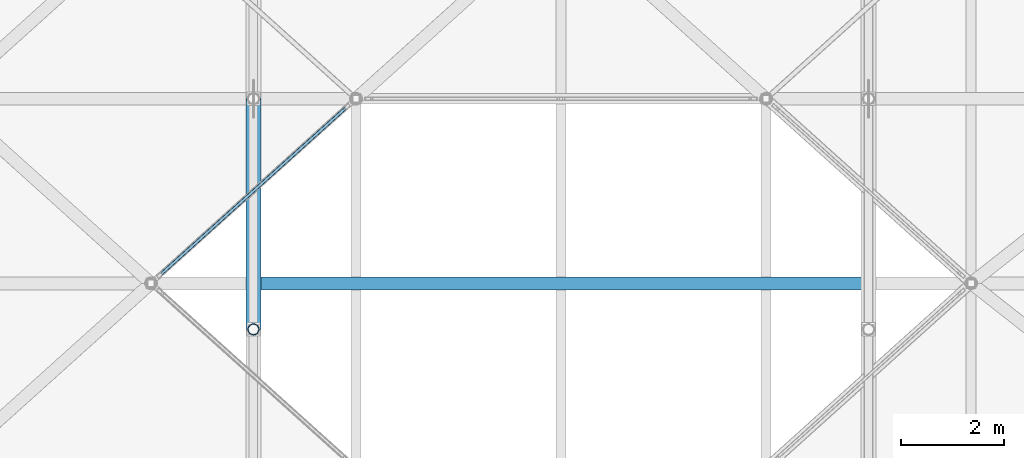
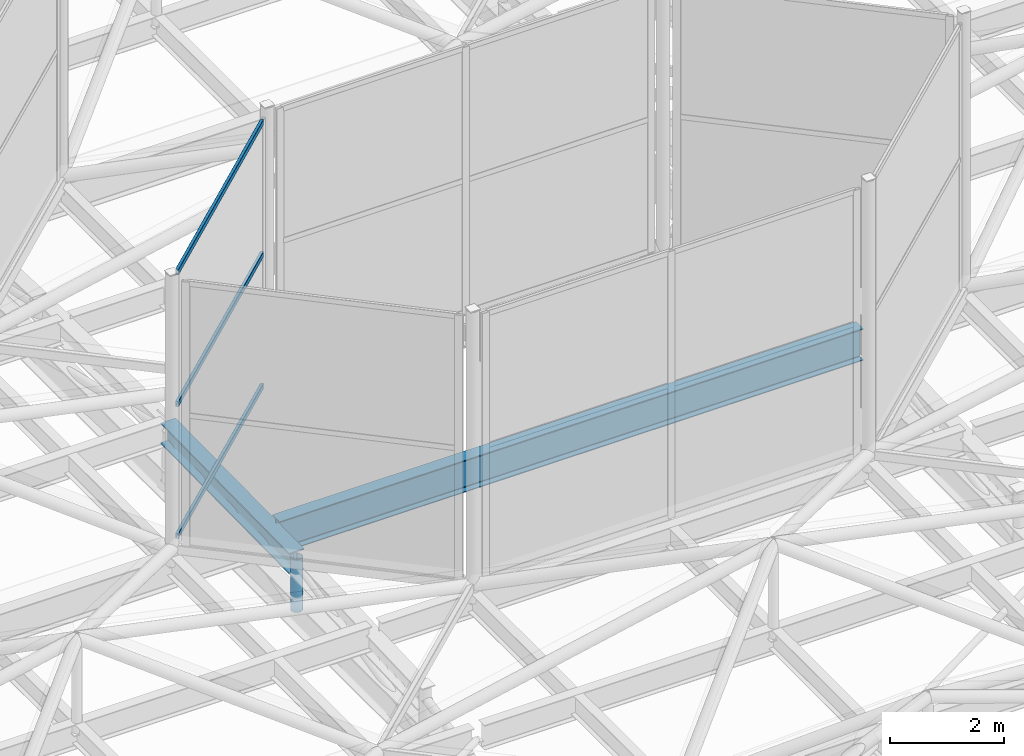
# One storey, part 116 of 239: 4 members, 2 beams, 1 element without a shape of its own.
"""IFC4 building model written with IfcOpenShell, lengths in metres."""

from ifc_helpers import new_model, si_unit, direction, frame, origin, origin_2d, place, context, subcontext, project, spatial, hollow_rectangle, hollow_circle, i_section, extrude, material, layer, layer_set, material_profile, profile_set, type_object, element, aggregate, save


model = new_model("IFC4")

# Units and contexts
model_context = context("Model", 3, precision=1e-05, world=origin(), true_north=direction((0.0, 1.0)))
body_context = subcontext(model_context, "Body", "Model", "MODEL_VIEW")
ifc_project = project(units=[si_unit("LENGTHUNIT", "METRE"), si_unit("AREAUNIT", "SQUARE_METRE"), si_unit("VOLUMEUNIT", "CUBIC_METRE"), si_unit("PLANEANGLEUNIT", "RADIAN"), si_unit("MASSUNIT", "GRAM", prefix="KILO")], contexts=[model_context])

# Site, building, storey
site_placement = place(None, origin())
site = spatial("IfcSite", under=ifc_project, at=site_placement, CompositionType="ELEMENT")
building_placement = place(site_placement, origin())
building = spatial("IfcBuilding", under=site, at=building_placement, Name="Dunvalen Ferry Terminal", CompositionType="ELEMENT")
storey_placement = place(building_placement, frame((0.0, 0.0, 9.840087890625)))
storey = spatial("IfcBuildingStorey", under=building, at=storey_placement, Name="L02", CompositionType="ELEMENT", Elevation=9.840087890625)

# Curtain wall, members
ifc_material_1 = material(Name="Anodised marine aluminium and solar-control glazing", Category="aluminium")
ifc_layer = layer(ifc_material_1, 0.179931640625, Name="Anodised marine aluminium and solar-control glazing")
ifc_layer_set = layer_set([ifc_layer], Name="Anodised marine aluminium and solar-control glazing")
curtain_wall_type = type_object("IfcCurtainWallType", Name="ENV-CW-SYS-06", PredefinedType="NOTDEFINED", material=ifc_layer_set)
curtain_wall_placement = place(storey_placement, origin())
curtain_wall = element("IfcCurtainWall", 1, at=curtain_wall_placement, inside=storey, type_object=curtain_wall_type, Name="L02 Curtain Wall CW-HEX-36-SK-6", PredefinedType="NOTDEFINED")
ifc_material_2 = material(Name="Anodised marine aluminium EN AW-6063 T6", Category="aluminium")
ifc_material_profile_1 = material_profile(ifc_material_2, hollow_rectangle(XDim=0.06005859375, YDim=0.114990234375, WallThickness=0.0029296875, InnerFilletRadius=0.0029296875, OuterFilletRadius=0.006103515625, at=origin_2d()), Name="Anodised marine aluminium EN AW-6063 T6")
ifc_profile_set_1 = profile_set([ifc_material_profile_1], Name="Anodised marine aluminium EN AW-6063 T6")
member_type_1 = type_object("IfcMemberType", Name="ENV-CW-TRN-3", PredefinedType="USERDEFINED", material=ifc_profile_set_1)
member_1_placement = place(storey_placement, frame((73.7919921875, 68.212646484375, 1.169921875), z_axis=(-0.743319323261, -0.668936756104, 0.0), x_axis=(0.668936756104, -0.743319323261, 0.0)))
member_1 = element("IfcMember", 2, at=member_1_placement, type_object=member_type_1, Name="CW-06 transom 1.1", ObjectType="TRANSOM", PredefinedType="USERDEFINED", context=body_context, shape_type="SweptSolid", body=[
    extrude(hollow_rectangle(XDim=0.06005859375, YDim=0.114990234375, WallThickness=0.0029296875, InnerFilletRadius=0.0029296875, OuterFilletRadius=0.006103515625, at=origin_2d()), origin(), (0.0, 0.0, 1.0), 4.821533203125),
])
member_2_placement = place(storey_placement, frame((73.7919921875, 68.212646484375, 3.989990234375), z_axis=(-0.743319323261, -0.668936756104, 0.0), x_axis=(0.668936756104, -0.743319323261, 0.0)))
member_2 = element("IfcMember", 3, at=member_2_placement, type_object=member_type_1, Name="CW-06 transom 1.2", ObjectType="TRANSOM", PredefinedType="USERDEFINED", context=body_context, shape_type="SweptSolid", body=[
    extrude(hollow_rectangle(XDim=0.06005859375, YDim=0.114990234375, WallThickness=0.0029296875, InnerFilletRadius=0.0029296875, OuterFilletRadius=0.006103515625, at=origin_2d()), origin(), (0.0, 0.0, 1.0), 4.821533203125),
])
member_3_placement = place(storey_placement, frame((73.7919921875, 68.212646484375, 6.809814453125), z_axis=(-0.743319323261, -0.668936756104, 0.0), x_axis=(0.668936756104, -0.743319323261, 0.0)))
member_3 = element("IfcMember", 4, at=member_3_placement, type_object=member_type_1, Name="CW-06 transom 1.3", ObjectType="TRANSOM", PredefinedType="USERDEFINED", context=body_context, shape_type="SweptSolid", body=[
    extrude(hollow_rectangle(XDim=0.06005859375, YDim=0.114990234375, WallThickness=0.0029296875, InnerFilletRadius=0.0029296875, OuterFilletRadius=0.006103515625, at=origin_2d()), origin(), (0.0, 0.0, 1.0), 4.821533203125),
])
aggregate(curtain_wall, [member_1, member_2, member_3])

# Beams
ifc_material_3 = material(Name="Steel S355", Category="steel")
ifc_material_profile_2 = material_profile(ifc_material_3, i_section(OverallWidth=0.300048828125, OverallDepth=0.449951171875, WebThickness=0.013916015625, FlangeThickness=0.02587890625, FilletRadius=0.027099609375, at=origin_2d()), Name="Steel S355")
ifc_profile_set_2 = profile_set([ifc_material_profile_2], Name="Steel S355")
beam_type_1 = type_object("IfcBeamType", Name="STR-BM-HEB450", PredefinedType="BEAM", material=ifc_profile_set_2)
beam_1_placement = place(storey_placement, frame((72.0, 63.89990234375, 0.65869140625), z_axis=(0.0, 0.999907293085, 0.01361635908), x_axis=(-1.0, 0.0, 0.0)))
element("IfcBeam", 5, at=beam_1_placement, inside=storey, type_object=beam_type_1, Name="Departure Hall Tied-Arch Rib 06.4", PredefinedType="BEAM", context=body_context, shape_type="SweptSolid", body=[
    extrude(i_section(OverallWidth=0.300048828125, OverallDepth=0.449951171875, WebThickness=0.013916015625, FlangeThickness=0.02587890625, FilletRadius=0.027099609375, at=origin_2d()), origin(), (0.0, 0.0, 1.0), 4.50048828125),
])
ifc_material_profile_3 = material_profile(ifc_material_3, i_section(OverallWidth=0.253662109375, OverallDepth=0.68359375, WebThickness=0.012451171875, FlangeThickness=0.01904296875, FilletRadius=0.01513671875, at=origin_2d()), Name="Steel S355")
ifc_profile_set_3 = profile_set([ifc_material_profile_3], Name="Steel S355")
beam_type_2 = type_object("IfcBeamType", Name="STR-BM-UKB686", PredefinedType="BEAM", material=ifc_profile_set_3)
beam_2_placement = place(storey_placement, frame((72.10009765625, 64.800048828125, 0.658203125), z_axis=(1.0, 0.0, 0.0), x_axis=(0.0, 1.0, 0.0)))
element("IfcBeam", 6, at=beam_2_placement, inside=storey, type_object=beam_type_2, Name="Departure Hall Spine Girder B6.05", PredefinedType="BEAM", context=body_context, shape_type="SweptSolid", body=[
    extrude(i_section(OverallWidth=0.253662109375, OverallDepth=0.68359375, WebThickness=0.012451171875, FlangeThickness=0.01904296875, FilletRadius=0.01513671875, at=origin_2d()), origin(), (0.0, 0.0, 1.0), 11.7998046875),
])

# Member
ifc_material_profile_4 = material_profile(ifc_material_3, hollow_circle(Radius=0.109619140625, WallThickness=0.010009765625, at=origin_2d()), Name="Steel S355")
ifc_profile_set_4 = profile_set([ifc_material_profile_4], Name="Steel S355")
member_type_2 = type_object("IfcMemberType", Name="STR-MB-CHS219", PredefinedType="STRUT", material=ifc_profile_set_4)
member_4_placement = place(storey_placement, frame((72.0, 63.89990234375, -0.360107421875), z_axis=(0.0, 0.0, 1.0), x_axis=(1.0, 0.0, 0.0)))
element("IfcMember", 7, at=member_4_placement, inside=storey, type_object=member_type_2, Name="Departure Hall Arch Spandrel Strut 06.3", PredefinedType="STRUT", context=body_context, shape_type="SweptSolid", body=[
    extrude(hollow_circle(Radius=0.109619140625, WallThickness=0.010009765625, at=origin_2d()), origin(), (0.0, 0.0, 1.0), 1.130126953125),
])

save(model, "model.ifc")
